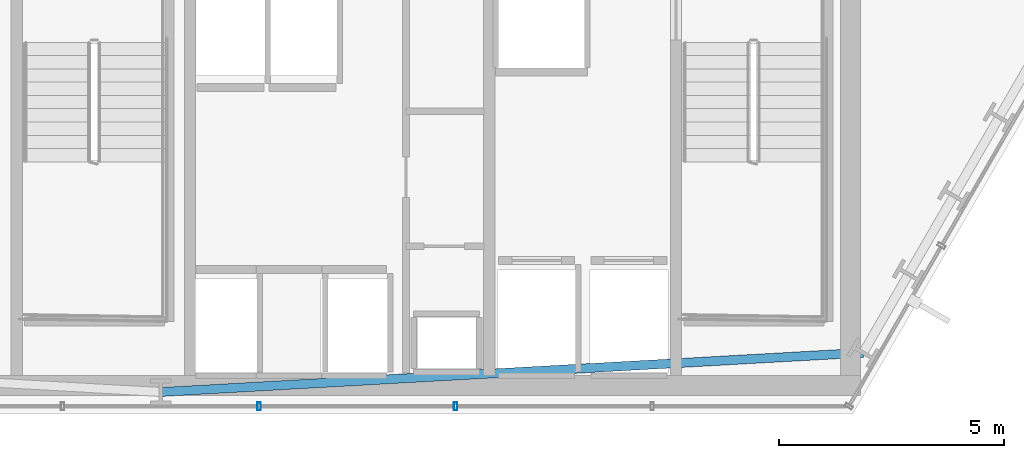
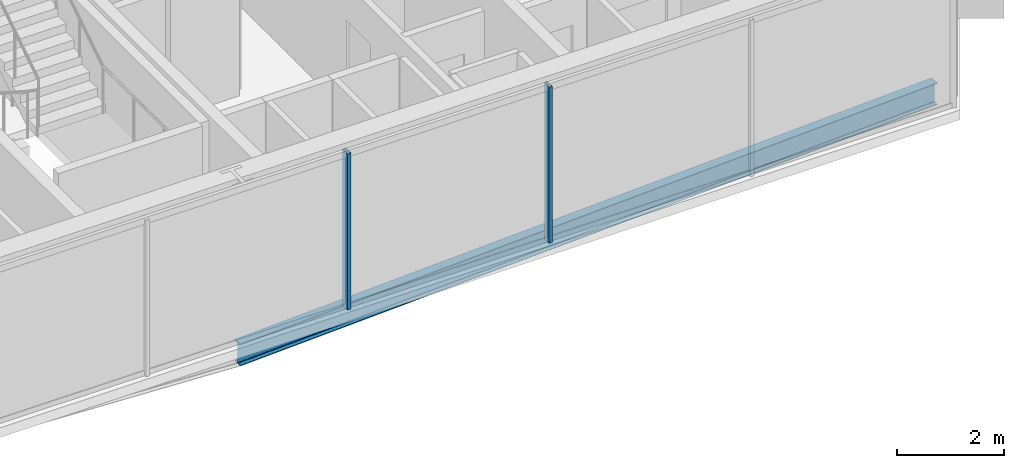
# One storey, part 8 of 33: 2 members, 1 beam, 1 element without a shape of its own.
"""IFC4 building model written with IfcOpenShell, lengths in metres."""

from ifc_helpers import new_model, si_unit, direction, frame, origin, origin_2d, place, context, subcontext, project, spatial, hollow_rectangle, i_section, extrude, material, layer, layer_set, material_profile, profile_set, type_object, element, aggregate, save


model = new_model("IFC4")

# Units and contexts
model_context = context("Model", 3, precision=1e-05, world=origin(), true_north=direction((0.0, 1.0)))
body_context = subcontext(model_context, "Body", "Model", "MODEL_VIEW")
ifc_project = project(units=[si_unit("LENGTHUNIT", "METRE"), si_unit("AREAUNIT", "SQUARE_METRE"), si_unit("VOLUMEUNIT", "CUBIC_METRE"), si_unit("PLANEANGLEUNIT", "RADIAN"), si_unit("MASSUNIT", "GRAM", prefix="KILO")], contexts=[model_context])

# Site, building, storey
site_placement = place(None, origin())
site = spatial("IfcSite", under=ifc_project, at=site_placement, CompositionType="ELEMENT")
building_placement = place(site_placement, origin())
building = spatial("IfcBuilding", under=site, at=building_placement, Name="Ndaravel Arena Tower", CompositionType="ELEMENT")
storey_placement = place(building_placement, frame((0.0, 0.0, 39.800048828125)))
storey = spatial("IfcBuildingStorey", under=building, at=storey_placement, Name="L07", CompositionType="ELEMENT", Elevation=39.800048828125)

# Beam
ifc_material_1 = material(Name="Steel S355", Category="steel")
ifc_material_profile_1 = material_profile(ifc_material_1, i_section(OverallWidth=0.199951171875, OverallDepth=0.5, WebThickness=0.01025390625, FlangeThickness=0.01611328125, FilletRadius=0.02099609375, at=origin_2d()), Name="IPE 500")
ifc_profile_set_1 = profile_set([ifc_material_profile_1], Name="Steel S355")
beam_type = type_object("IfcBeamType", Name="BM-SPAN-IPE500", PredefinedType="SPANDREL", material=ifc_profile_set_1)
beam_placement = place(storey_placement, frame((42.0, 5.47998046875, -0.469970703125), z_axis=(0.998443390482, 0.055774510331, 0.0), x_axis=(-0.055774510331, 0.998443390482, 0.0)))
element("IfcBeam", 1, at=beam_placement, inside=storey, type_object=beam_type, Name="L07 Perimeter Spandrel Beam SP-01", PredefinedType="SPANDREL", context=body_context, shape_type="SweptSolid", body=[
    extrude(i_section(OverallWidth=0.199951171875, OverallDepth=0.5, WebThickness=0.01025390625, FlangeThickness=0.01611328125, FilletRadius=0.02099609375, at=origin_2d()), origin(), (0.0, 0.0, 1.0), 15.63134765625),
])

# Curtain wall, members
ifc_material_2 = material(Name="Aluminium", Category="aluminium")
ifc_layer = layer(ifc_material_2, 0.179931640625)
ifc_layer_set = layer_set([ifc_layer], Name="Aluminium")
curtain_wall_type = type_object("IfcCurtainWallType", Name="CW-SYS-03", PredefinedType="NOTDEFINED", material=ifc_layer_set)
curtain_wall_placement = place(storey_placement, origin())
curtain_wall = element("IfcCurtainWall", 2, at=curtain_wall_placement, inside=storey, type_object=curtain_wall_type, Name="L07 Faceted Crystal Curtain Wall CW-L07-E01", PredefinedType="NOTDEFINED")
ifc_material_3 = material(Name="Aluminium", Category="aluminium")
ifc_material_profile_2 = material_profile(ifc_material_3, hollow_rectangle(XDim=0.074951171875, YDim=0.179931640625, WallThickness=0.00390625, at=origin_2d()), Name="CW MULLION 75x180x4")
ifc_profile_set_2 = profile_set([ifc_material_profile_2], Name="Aluminium")
member_type = type_object("IfcMemberType", Name="MEM-CW-MUL180", PredefinedType="MULLION", material=ifc_profile_set_2)
member_1_placement = place(storey_placement, frame((44.18408203125, 5.159912109375, 0.0), z_axis=(0.0, 0.0, 1.0), x_axis=(1.0, 0.0, 0.0)))
member_1 = element("IfcMember", 3, at=member_1_placement, type_object=member_type, Name="CW-L07-E01 Mullion 04", PredefinedType="MULLION", context=body_context, shape_type="SweptSolid", body=[
    extrude(hollow_rectangle(XDim=0.074951171875, YDim=0.179931640625, WallThickness=0.00390625, at=origin_2d()), origin(), (0.0, 0.0, 1.0), 3.579833984375),
])
member_2_placement = place(storey_placement, frame((48.552001953125, 5.159912109375, 0.0), z_axis=(0.0, 0.0, 1.0), x_axis=(1.0, 0.0, 0.0)))
member_2 = element("IfcMember", 4, at=member_2_placement, type_object=member_type, Name="CW-L07-E01 Mullion 05", PredefinedType="MULLION", context=body_context, shape_type="SweptSolid", body=[
    extrude(hollow_rectangle(XDim=0.074951171875, YDim=0.179931640625, WallThickness=0.00390625, at=origin_2d()), origin(), (0.0, 0.0, 1.0), 3.579833984375),
])
aggregate(curtain_wall, [member_1, member_2])

save(model, "model.ifc")
